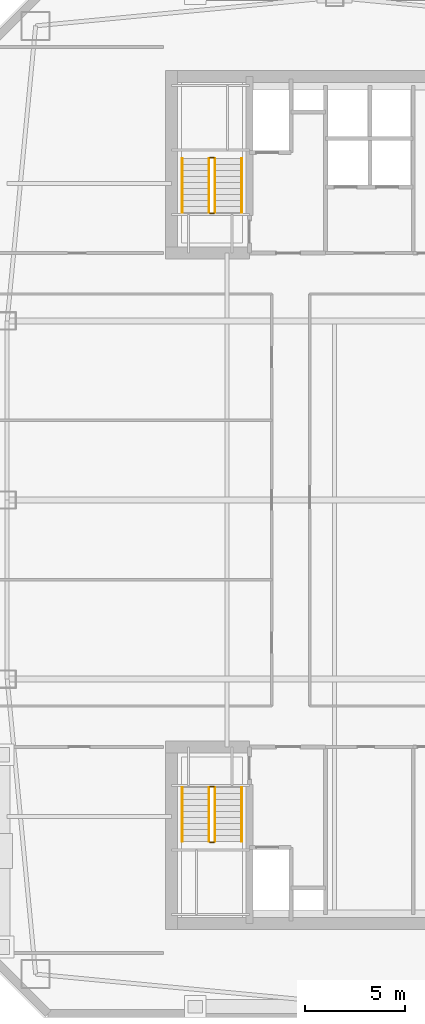
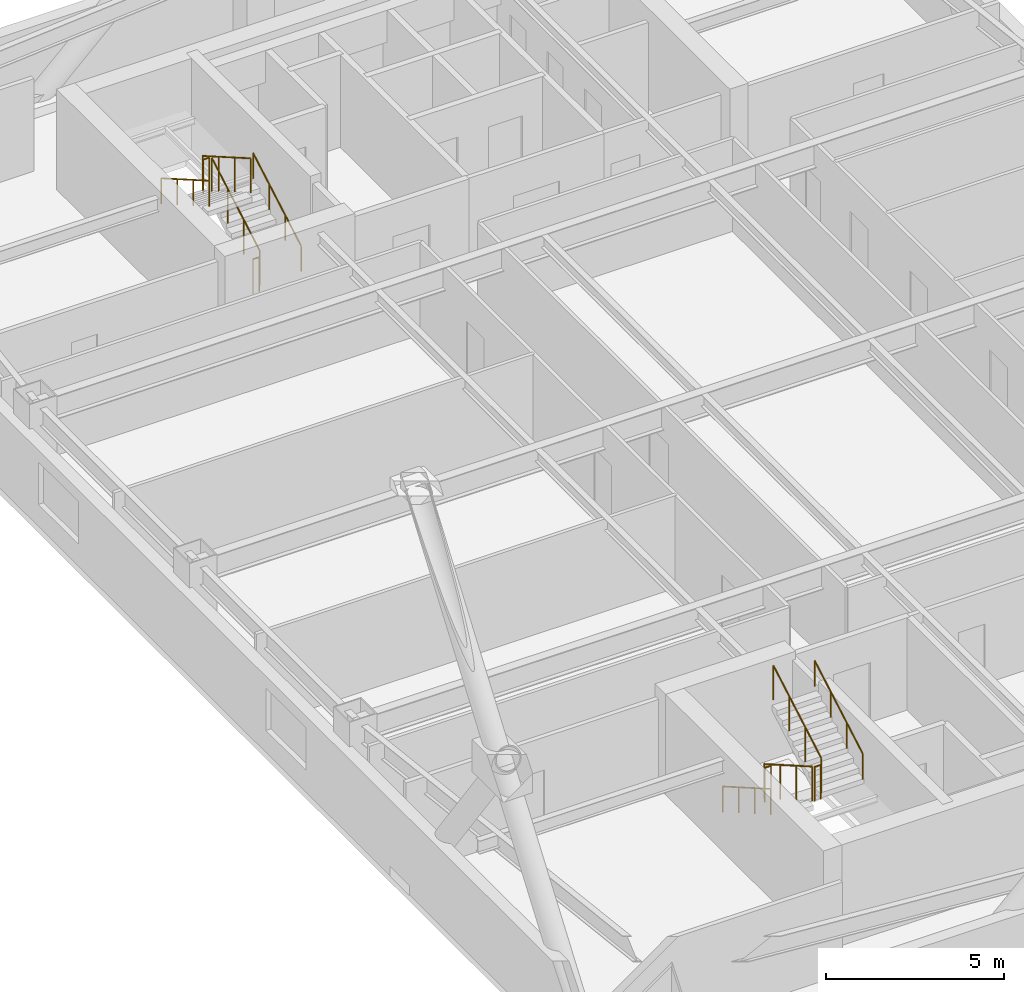
# One storey, part 13 of 14: 12 railings.
"""IFC4 building model written with IfcOpenShell, lengths in metres."""

import ifcopenshell
import ifcopenshell.guid

model = None  # the IFC model being written
_history = None  # IfcOwnerHistory: only IFC2X3 demands one
_inside = {}  # id of a spatial element -> (the spatial element, [elements in it])
_under = {}  # id of a project, library or spatial element -> (it, [spatial elements below it])
_declared = {}  # id of a project -> (the project, [libraries it declares])
_typed = {}  # id of a type object -> (the type object, [elements of that type])
_made_of = {}  # id of a material, layer set ... -> (it, [elements and type objects made of it])


def new_model(schema):
    """Start an empty IFC model of exactly this schema.

    Asked for "IFC4X3", IfcOpenShell would pick the latest addendum, in which some entities
    have other attributes; the version numbers below select the first issue.
    IFC2X3 requires an IfcOwnerHistory on every rooted entity: one is made here for all.
    """
    global model, _history
    if schema == "IFC4X3":
        model = ifcopenshell.file(schema_version=(4, 3, 0, 0))
    else:
        model = ifcopenshell.file(schema=schema)
    _inside.clear()
    _under.clear()
    _declared.clear()
    _typed.clear()
    _made_of.clear()
    _history = None
    if model.schema == "IFC2X3":
        org = make("IfcOrganization", Name="unknown")
        user = make(
            "IfcPersonAndOrganization",
            ThePerson=make("IfcPerson", FamilyName="unknown"),
            TheOrganization=org,
        )
        app = make(
            "IfcApplication",
            ApplicationDeveloper=org,
            Version="unknown",
            ApplicationFullName="unknown",
            ApplicationIdentifier="unknown",
        )
        _history = make(
            "IfcOwnerHistory",
            OwningUser=user,
            OwningApplication=app,
            ChangeAction="ADDED",
            CreationDate=0,
        )
    return model


def make(cls, **values):
    """One entity of the class cls with the attributes given. An attribute that is None is left unset."""
    return model.create_entity(
        cls, **{name: value for name, value in values.items() if value is not None}
    )


def rooted(cls, **values):
    """An entity with a GlobalId (a new one), such as an element, a storey or a relation."""
    return make(cls, GlobalId=ifcopenshell.guid.new(), OwnerHistory=_history, **values)


def si_unit(unit_type, name, prefix=None):
    """IfcSIUnit, for example si_unit("LENGTHUNIT", "METRE", prefix="MILLI")."""
    return make("IfcSIUnit", UnitType=unit_type, Prefix=prefix, Name=name)


def assignment(units):
    """IfcUnitAssignment: the units of a project."""
    return None if units is None else make("IfcUnitAssignment", Units=units)


def point(xyz):
    """IfcCartesianPoint."""
    return None if xyz is None else make("IfcCartesianPoint", Coordinates=xyz)


def direction(xyz):
    """IfcDirection."""
    return None if xyz is None else make("IfcDirection", DirectionRatios=xyz)


def frame(location, z_axis=None, x_axis=None):
    """IfcAxis2Placement3D, a coordinate frame: its origin and axes. An axis left out is left unset."""
    return make(
        "IfcAxis2Placement3D",
        Location=point(location),
        Axis=direction(z_axis),
        RefDirection=direction(x_axis),
    )


def frame_2d(location, x_axis=None):
    """IfcAxis2Placement2D, a coordinate frame in the plane: its origin and x axis."""
    return make(
        "IfcAxis2Placement2D", Location=point(location), RefDirection=direction(x_axis)
    )


def origin():
    """The frame at (0, 0, 0) with its axes left unset."""
    return frame((0.0, 0.0, 0.0))


def origin_2d():
    """The frame at (0, 0) in the plane with its x axis left unset."""
    return frame_2d((0.0, 0.0))


def place(relative_to, where):
    """IfcLocalPlacement: puts the frame where relative to a parent placement (None: the world)."""
    return make(
        "IfcLocalPlacement", PlacementRelTo=relative_to, RelativePlacement=where
    )


def context(
    kind, dimensions, precision=None, world=None, true_north=None, identifier=None
):
    """IfcGeometricRepresentationContext, for example the 3D "Model" context."""
    return make(
        "IfcGeometricRepresentationContext",
        ContextIdentifier=identifier,
        ContextType=kind,
        CoordinateSpaceDimension=dimensions,
        Precision=precision,
        WorldCoordinateSystem=world,
        TrueNorth=true_north,
    )


def subcontext(parent, identifier, kind, view, scale=None):
    """IfcGeometricRepresentationSubContext, for example "Body" below "Model"."""
    return make(
        "IfcGeometricRepresentationSubContext",
        ContextIdentifier=identifier,
        ContextType=kind,
        ParentContext=parent,
        TargetScale=scale,
        TargetView=view,
    )


def project(units=None, contexts=None):
    """IfcProject with its units and contexts."""
    return rooted(
        "IfcProject",
        Name="project",
        RepresentationContexts=contexts,
        UnitsInContext=assignment(units),
    )


def spatial(cls, under=None, at=None, **own):
    """A site, building, storey or space (cls), placed at a placement, below another one or the project."""
    s = rooted(cls, ObjectPlacement=at, **own)
    if under is not None:
        _under.setdefault(under.id(), (under, []))[1].append(s)
    return s


def profile(cls, at=None, kind="AREA", **sizes):
    """A parametric profile (cls). Its sizes go by their IFC names, for example OverallWidth=200.0."""
    return make(cls, ProfileType=kind, Position=at, **sizes)


def circle(**sizes):
    """IfcCircleProfileDef."""
    return profile("IfcCircleProfileDef", **sizes)


def extrude(swept, where, along, depth):
    """IfcExtrudedAreaSolid: the profile swept, set in the frame where, extruded along a direction by depth."""
    return make(
        "IfcExtrudedAreaSolid",
        SweptArea=swept,
        Position=where,
        ExtrudedDirection=direction(along),
        Depth=depth,
    )


def shape(context_of_items, identifier, shape_type, items):
    """IfcShapeRepresentation: the items that make up one representation, for example the "Body"."""
    return make(
        "IfcShapeRepresentation",
        ContextOfItems=context_of_items,
        RepresentationIdentifier=identifier,
        RepresentationType=shape_type,
        Items=items,
    )


def material(Name=None, Category=None):
    """IfcMaterial."""
    return make("IfcMaterial", Name=Name, Category=Category)


def made_of(thing, what):
    """Note that an element or type object is made of a material, layer set ...; save() writes the relation."""
    if what is not None:
        _made_of.setdefault(what.id(), (what, []))[1].append(thing)
    return thing


def type_object(cls, material=None, **own):
    """A type object (cls), such as IfcWallType, which elements share."""
    return made_of(rooted(cls, **own), material)


def element(
    cls,
    number,
    at=None,
    inside=None,
    cuts=None,
    type_object=None,
    material=None,
    context=None,
    identifier="Body",
    shape_type=None,
    held_by="IfcProductDefinitionShape",
    body=None,
    shapes=None,
    **own,
):
    """One element of the class cls, such as IfcWall. Its Tag is "e" and its number.

    at: its placement. inside: the storey or other place that contains it. cuts: it is an
    opening in that element (IfcRelVoidsElement). A single representation is given by context,
    identifier, shape_type and body (its items); several are given by shapes. held_by: the class
    of the entity that holds the representations. save() writes the other relations.
    """
    e = rooted(cls, Tag="e%d" % number, ObjectPlacement=at, **own)
    if body is not None:
        shapes = [shape(context, identifier, shape_type, body)]
    if shapes is not None:
        e.Representation = make(held_by, Representations=shapes)
    if inside is not None:
        _inside.setdefault(inside.id(), (inside, []))[1].append(e)
    if cuts is not None:
        rooted(
            "IfcRelVoidsElement", RelatingBuildingElement=cuts, RelatedOpeningElement=e
        )
    if type_object is not None:
        _typed.setdefault(type_object.id(), (type_object, []))[1].append(e)
    return made_of(e, material)


def aggregate(whole, parts):
    """IfcRelAggregates: a whole, such as a stair, and the parts it consists of."""
    return rooted("IfcRelAggregates", RelatingObject=whole, RelatedObjects=parts)


def save(model, path):
    """Write the relations noted so far, then the file.

    IfcRelAggregates (storeys below a building ...), IfcRelContainedInSpatialStructure (elements
    in a storey), IfcRelDefinesByType, IfcRelAssociatesMaterial and IfcRelDeclares: one each for
    every whole, place, type object, material and project.
    """
    for whole, parts in _under.values():
        aggregate(whole, parts)
    for where, things in _inside.values():
        rooted(
            "IfcRelContainedInSpatialStructure",
            RelatedElements=things,
            RelatingStructure=where,
        )
    for kind, things in _typed.values():
        rooted("IfcRelDefinesByType", RelatedObjects=things, RelatingType=kind)
    for what, things in _made_of.values():
        rooted("IfcRelAssociatesMaterial", RelatedObjects=things, RelatingMaterial=what)
    for by, libraries in _declared.values():
        rooted("IfcRelDeclares", RelatingContext=by, RelatedDefinitions=libraries)
    model.write(path)


model = new_model("IFC4")

# Units and contexts
model_context = context("Model", 3, precision=1e-05, world=origin(), true_north=direction((0.0, 1.0)))
body_context = subcontext(model_context, "Body", "Model", "MODEL_VIEW")
ifc_project = project(units=[si_unit("LENGTHUNIT", "METRE"), si_unit("AREAUNIT", "SQUARE_METRE"), si_unit("VOLUMEUNIT", "CUBIC_METRE"), si_unit("PLANEANGLEUNIT", "RADIAN"), si_unit("MASSUNIT", "GRAM", prefix="KILO")], contexts=[model_context])

# Site, building, storey
site_placement = place(None, origin())
site = spatial("IfcSite", under=ifc_project, at=site_placement, CompositionType="ELEMENT")
building_placement = place(site_placement, origin())
building = spatial("IfcBuilding", under=site, at=building_placement, Name="Qiaolan Cultural Towers", CompositionType="ELEMENT")
storey_placement = place(building_placement, frame((0.0, 0.0, 159.85009765625)))
storey = spatial("IfcBuildingStorey", under=building, at=storey_placement, Name="L42", CompositionType="ELEMENT", Elevation=159.85009765625)

# Railings
ifc_material_1 = material(Name="Galvanized Painted Steel Stair Guardrail", Category="steel")
railing_type_1 = type_object("IfcRailingType", Name="RL-STAIR-GRD", PredefinedType="GUARDRAIL", material=ifc_material_1)
railing_1_placement = place(storey_placement, frame((23.68994140625, 19.550048828125, 0.17236328125)))
element("IfcRailing", 1, at=railing_1_placement, inside=storey, type_object=railing_type_1, Name="L42 ST-W1 stair guard 1", PredefinedType="GUARDRAIL", context=body_context, shape_type="SweptSolid", body=[
    extrude(circle(Radius=0.02392578125, at=origin_2d()), frame((0.0, 0.0, 1.17578125), z_axis=(0.0, -0.866903762492, 0.498475542607), x_axis=(1.0, 0.0, 0.0)), (0.0, 0.0, 1.0), 3.114501953125),
    extrude(circle(Radius=0.02099609375, at=origin_2d()), origin(), (0.0, 0.0, 1.0), 1.15185546875),
    extrude(circle(Radius=0.02099609375, at=origin_2d()), frame((0.0, -0.89990234375, 0.517578125)), (0.0, 0.0, 1.0), 1.15185546875),
    extrude(circle(Radius=0.02099609375, at=origin_2d()), frame((0.0, -1.800048828125, 1.034912109375)), (0.0, 0.0, 1.0), 1.15185546875),
    extrude(circle(Radius=0.02099609375, at=origin_2d()), frame((0.0, -2.699951171875, 1.552490234375)), (0.0, 0.0, 1.0), 1.15185546875),
])
railing_2_placement = place(storey_placement, frame((23.739990234375, 16.800048828125, 1.724853515625)))
element("IfcRailing", 2, at=railing_2_placement, inside=storey, type_object=railing_type_1, Name="L42 ST-W1 stair guard 2", PredefinedType="GUARDRAIL", context=body_context, shape_type="SweptSolid", body=[
    extrude(circle(Radius=0.02392578125, at=origin_2d()), frame((0.0, 0.0, 1.17578125), z_axis=(1.0, 0.0, 0.0), x_axis=(0.0, 1.0, 0.0)), (0.0, 0.0, 1.0), 0.199951171875),
    extrude(circle(Radius=0.02099609375, at=origin_2d()), origin(), (0.0, 0.0, 1.0), 1.15185546875),
    extrude(circle(Radius=0.02099609375, at=origin_2d()), frame((0.199951171875, 0.0, 0.0)), (0.0, 0.0, 1.0), 1.15185546875),
])
railing_3_placement = place(storey_placement, frame((23.989990234375, 16.85009765625, 1.8974609375)))
element("IfcRailing", 3, at=railing_3_placement, inside=storey, type_object=railing_type_1, Name="L42 ST-W1 stair guard 3", PredefinedType="GUARDRAIL", context=body_context, shape_type="SweptSolid", body=[
    extrude(circle(Radius=0.02392578125, at=origin_2d()), frame((0.0, 0.0, 1.17578125), z_axis=(0.0, 0.866903762492, 0.498475542607), x_axis=(-1.0, 0.0, 0.0)), (0.0, 0.0, 1.0), 3.114501953125),
    extrude(circle(Radius=0.02099609375, at=origin_2d()), origin(), (0.0, 0.0, 1.0), 1.15185546875),
    extrude(circle(Radius=0.02099609375, at=origin_2d()), frame((0.0, 0.89990234375, 0.517578125)), (0.0, 0.0, 1.0), 1.15185546875),
    extrude(circle(Radius=0.02099609375, at=origin_2d()), frame((0.0, 1.800048828125, 1.034912109375)), (0.0, 0.0, 1.0), 1.15185546875),
    extrude(circle(Radius=0.02099609375, at=origin_2d()), frame((0.0, 2.699951171875, 1.552490234375)), (0.0, 0.0, 1.0), 1.15185546875),
])
railing_4_placement = place(storey_placement, frame((23.739990234375, 19.60009765625, 0.0)))
element("IfcRailing", 4, at=railing_4_placement, inside=storey, type_object=railing_type_1, Name="L42 ST-W1 stair guard 4", PredefinedType="GUARDRAIL", context=body_context, shape_type="SweptSolid", body=[
    extrude(circle(Radius=0.02392578125, at=origin_2d()), frame((0.0, 0.0, 1.17578125), z_axis=(1.0, 0.0, 0.0), x_axis=(0.0, 1.0, 0.0)), (0.0, 0.0, 1.0), 0.199951171875),
    extrude(circle(Radius=0.02099609375, at=origin_2d()), origin(), (0.0, 0.0, 1.0), 1.15185546875),
    extrude(circle(Radius=0.02099609375, at=origin_2d()), frame((0.199951171875, 0.0, 0.0)), (0.0, 0.0, 1.0), 1.15185546875),
])
railing_5_placement = place(storey_placement, frame((23.989990234375, 48.449951171875, 0.17236328125)))
element("IfcRailing", 5, at=railing_5_placement, inside=storey, type_object=railing_type_1, Name="L42 ST-W2 stair guard 1", PredefinedType="GUARDRAIL", context=body_context, shape_type="SweptSolid", body=[
    extrude(circle(Radius=0.02392578125, at=origin_2d()), frame((0.0, 0.0, 1.17578125), z_axis=(0.0, 0.866903762492, 0.498475542607), x_axis=(-1.0, 0.0, 0.0)), (0.0, 0.0, 1.0), 3.114501953125),
    extrude(circle(Radius=0.02099609375, at=origin_2d()), origin(), (0.0, 0.0, 1.0), 1.15185546875),
    extrude(circle(Radius=0.02099609375, at=origin_2d()), frame((0.0, 0.89990234375, 0.517578125)), (0.0, 0.0, 1.0), 1.15185546875),
    extrude(circle(Radius=0.02099609375, at=origin_2d()), frame((0.0, 1.800048828125, 1.034912109375)), (0.0, 0.0, 1.0), 1.15185546875),
    extrude(circle(Radius=0.02099609375, at=origin_2d()), frame((0.0, 2.699951171875, 1.552490234375)), (0.0, 0.0, 1.0), 1.15185546875),
])
railing_6_placement = place(storey_placement, frame((23.93994140625, 51.199951171875, 1.724853515625)))
element("IfcRailing", 6, at=railing_6_placement, inside=storey, type_object=railing_type_1, Name="L42 ST-W2 stair guard 2", PredefinedType="GUARDRAIL", context=body_context, shape_type="SweptSolid", body=[
    extrude(circle(Radius=0.02392578125, at=origin_2d()), frame((0.0, 0.0, 1.17578125), z_axis=(-1.0, 0.0, 0.0), x_axis=(0.0, -1.0, 0.0)), (0.0, 0.0, 1.0), 0.199951171875),
    extrude(circle(Radius=0.02099609375, at=origin_2d()), origin(), (0.0, 0.0, 1.0), 1.15185546875),
    extrude(circle(Radius=0.02099609375, at=origin_2d()), frame((-0.199951171875, 0.0, 0.0)), (0.0, 0.0, 1.0), 1.15185546875),
])
railing_7_placement = place(storey_placement, frame((23.68994140625, 51.14990234375, 1.8974609375)))
element("IfcRailing", 7, at=railing_7_placement, inside=storey, type_object=railing_type_1, Name="L42 ST-W2 stair guard 3", PredefinedType="GUARDRAIL", context=body_context, shape_type="SweptSolid", body=[
    extrude(circle(Radius=0.02392578125, at=origin_2d()), frame((0.0, 0.0, 1.17578125), z_axis=(0.0, -0.866903762492, 0.498475542607), x_axis=(1.0, 0.0, 0.0)), (0.0, 0.0, 1.0), 3.114501953125),
    extrude(circle(Radius=0.02099609375, at=origin_2d()), origin(), (0.0, 0.0, 1.0), 1.15185546875),
    extrude(circle(Radius=0.02099609375, at=origin_2d()), frame((0.0, -0.89990234375, 0.517578125)), (0.0, 0.0, 1.0), 1.15185546875),
    extrude(circle(Radius=0.02099609375, at=origin_2d()), frame((0.0, -1.800048828125, 1.034912109375)), (0.0, 0.0, 1.0), 1.15185546875),
    extrude(circle(Radius=0.02099609375, at=origin_2d()), frame((0.0, -2.699951171875, 1.552490234375)), (0.0, 0.0, 1.0), 1.15185546875),
])
railing_8_placement = place(storey_placement, frame((23.93994140625, 48.39990234375, 0.0)))
element("IfcRailing", 8, at=railing_8_placement, inside=storey, type_object=railing_type_1, Name="L42 ST-W2 stair guard 4", PredefinedType="GUARDRAIL", context=body_context, shape_type="SweptSolid", body=[
    extrude(circle(Radius=0.02392578125, at=origin_2d()), frame((0.0, 0.0, 1.17578125), z_axis=(-1.0, 0.0, 0.0), x_axis=(0.0, -1.0, 0.0)), (0.0, 0.0, 1.0), 0.199951171875),
    extrude(circle(Radius=0.02099609375, at=origin_2d()), origin(), (0.0, 0.0, 1.0), 1.15185546875),
    extrude(circle(Radius=0.02099609375, at=origin_2d()), frame((-0.199951171875, 0.0, 0.0)), (0.0, 0.0, 1.0), 1.15185546875),
])
ifc_material_2 = material(Name="Stainless Steel S30408 Tubular Handrail", Category="steel")
railing_type_2 = type_object("IfcRailingType", Name="RL-STAIR-HR", PredefinedType="HANDRAIL", material=ifc_material_2)
railing_9_placement = place(storey_placement, frame((22.35009765625, 19.550048828125, 0.17236328125)))
element("IfcRailing", 9, at=railing_9_placement, inside=storey, type_object=railing_type_2, Name="L42 ST-W1 stair handrail 1", PredefinedType="HANDRAIL", context=body_context, shape_type="SweptSolid", body=[
    extrude(circle(Radius=0.02392578125, at=origin_2d()), frame((0.0, 0.0, 0.8759765625), z_axis=(0.0, -0.866903762492, 0.498475542607), x_axis=(1.0, 0.0, 0.0)), (0.0, 0.0, 1.0), 3.114501953125),
    extrude(circle(Radius=0.02099609375, at=origin_2d()), origin(), (0.0, 0.0, 1.0), 0.851806640625),
    extrude(circle(Radius=0.02099609375, at=origin_2d()), frame((0.0, -0.89990234375, 0.517578125)), (0.0, 0.0, 1.0), 0.851806640625),
    extrude(circle(Radius=0.02099609375, at=origin_2d()), frame((0.0, -1.800048828125, 1.034912109375)), (0.0, 0.0, 1.0), 0.851806640625),
    extrude(circle(Radius=0.02099609375, at=origin_2d()), frame((0.0, -2.699951171875, 1.552490234375)), (0.0, 0.0, 1.0), 0.851806640625),
])
for number, where, name in (
    (10, (25.330078125, 16.85009765625, 1.8974609375), "L42 ST-W1 stair handrail 2"),
    (11, (25.330078125, 48.449951171875, 0.17236328125), "L42 ST-W2 stair handrail 1"),
):
    element("IfcRailing", number, at=place(storey_placement, frame(where)), inside=storey, type_object=railing_type_2, Name=name, PredefinedType="HANDRAIL", context=body_context, shape_type="SweptSolid", body=[
        extrude(circle(Radius=0.02392578125, at=origin_2d()), frame((0.0, 0.0, 0.8759765625), z_axis=(0.0, 0.866903762492, 0.498475542607), x_axis=(-1.0, 0.0, 0.0)), (0.0, 0.0, 1.0), 3.114501953125),
        extrude(circle(Radius=0.02099609375, at=origin_2d()), origin(), (0.0, 0.0, 1.0), 0.851806640625),
        extrude(circle(Radius=0.02099609375, at=origin_2d()), frame((0.0, 0.89990234375, 0.517578125)), (0.0, 0.0, 1.0), 0.851806640625),
        extrude(circle(Radius=0.02099609375, at=origin_2d()), frame((0.0, 1.800048828125, 1.034912109375)), (0.0, 0.0, 1.0), 0.851806640625),
        extrude(circle(Radius=0.02099609375, at=origin_2d()), frame((0.0, 2.699951171875, 1.552490234375)), (0.0, 0.0, 1.0), 0.851806640625),
    ])
railing_10_placement = place(storey_placement, frame((22.35009765625, 51.14990234375, 1.8974609375)))
element("IfcRailing", 12, at=railing_10_placement, inside=storey, type_object=railing_type_2, Name="L42 ST-W2 stair handrail 2", PredefinedType="HANDRAIL", context=body_context, shape_type="SweptSolid", body=[
    extrude(circle(Radius=0.02392578125, at=origin_2d()), frame((0.0, 0.0, 0.8759765625), z_axis=(0.0, -0.866903762492, 0.498475542607), x_axis=(1.0, 0.0, 0.0)), (0.0, 0.0, 1.0), 3.114501953125),
    extrude(circle(Radius=0.02099609375, at=origin_2d()), origin(), (0.0, 0.0, 1.0), 0.851806640625),
    extrude(circle(Radius=0.02099609375, at=origin_2d()), frame((0.0, -0.89990234375, 0.517578125)), (0.0, 0.0, 1.0), 0.851806640625),
    extrude(circle(Radius=0.02099609375, at=origin_2d()), frame((0.0, -1.800048828125, 1.034912109375)), (0.0, 0.0, 1.0), 0.851806640625),
    extrude(circle(Radius=0.02099609375, at=origin_2d()), frame((0.0, -2.699951171875, 1.552490234375)), (0.0, 0.0, 1.0), 0.851806640625),
])

save(model, "model.ifc")
